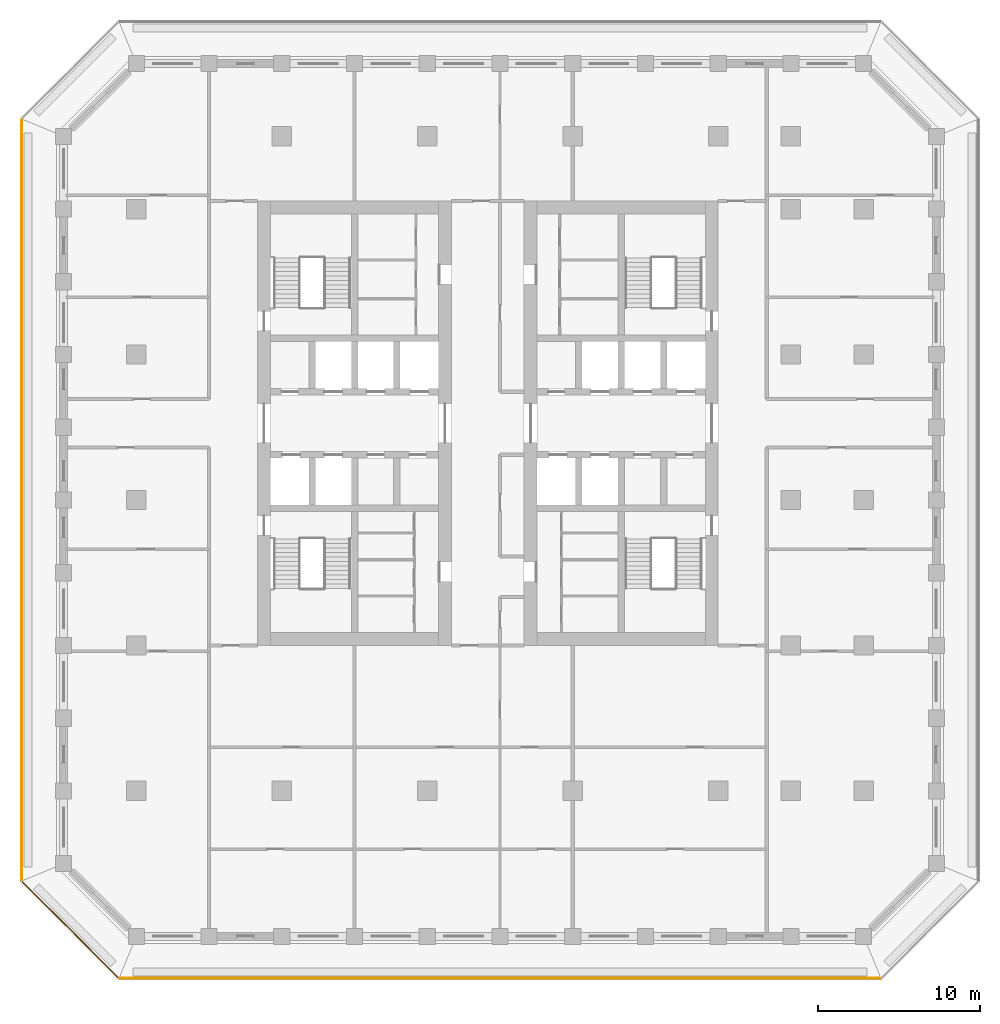
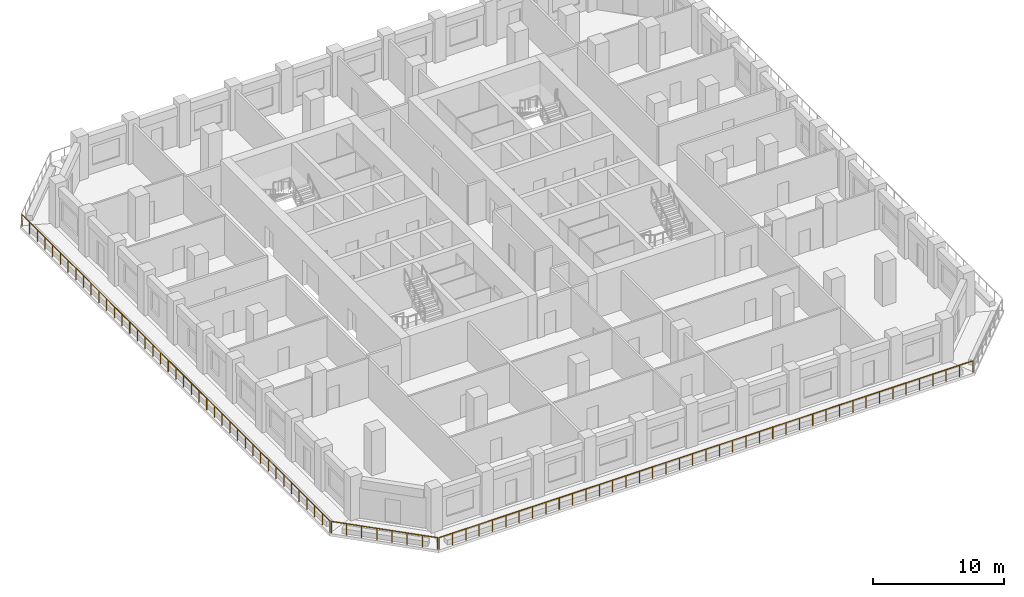
# One storey, part 9 of 16: 3 railings.
"""IFC4 building model written with IfcOpenShell, lengths in metres."""

from ifc_helpers import new_model, si_unit, direction, frame, origin, origin_2d, place, context, subcontext, project, spatial, circle, extrude, material, type_object, element, save


model = new_model("IFC4")

# Units and contexts
model_context = context("Model", 3, precision=1e-05, world=origin(), true_north=direction((0.0, 1.0)))
body_context = subcontext(model_context, "Body", "Model", "MODEL_VIEW")
ifc_project = project(units=[si_unit("LENGTHUNIT", "METRE"), si_unit("AREAUNIT", "SQUARE_METRE"), si_unit("VOLUMEUNIT", "CUBIC_METRE"), si_unit("PLANEANGLEUNIT", "RADIAN"), si_unit("MASSUNIT", "GRAM", prefix="KILO")], contexts=[model_context])

# Site, building, storey
site_placement = place(None, origin())
site = spatial("IfcSite", under=ifc_project, at=site_placement, CompositionType="ELEMENT")
building_placement = place(site_placement, origin())
building = spatial("IfcBuilding", under=site, at=building_placement, Name="Corbel Stack Research Tower", CompositionType="ELEMENT")
storey_placement = place(building_placement, frame((0.0, 0.0, 212.0)))
storey = spatial("IfcBuildingStorey", under=building, at=storey_placement, Name="L48", CompositionType="ELEMENT", Elevation=212.0)

# Railings
ifc_material = material(Name="Powder-coated steel guard", Category="steel")
railing_type = type_object("IfcRailingType", Name="Steel and glass guard 1100", PredefinedType="GUARDRAIL", material=ifc_material)
railing_1_placement = place(storey_placement, frame((-19.00537109375, -29.60009765625, 0.0)))
element("IfcRailing", 1, at=railing_1_placement, inside=storey, type_object=railing_type, Name="Loggia guard L48 S", PredefinedType="GUARDRAIL", context=body_context, shape_type="SweptSolid", body=[
    extrude(circle(Radius=0.02392578125, at=origin_2d()), frame((0.0, 0.0, 1.076171875), z_axis=(1.0, 0.0, 0.0), x_axis=(0.0, 1.0, 0.0)), (0.0, 0.0, 1.0), 47.0107421875),
    extrude(circle(Radius=0.02099609375, at=origin_2d()), origin(), (0.0, 0.0, 1.0), 1.052001953125),
    extrude(circle(Radius=0.02099609375, at=origin_2d()), frame((1.17529296875, 0.0, 0.0)), (0.0, 0.0, 1.0), 1.052001953125),
    extrude(circle(Radius=0.02099609375, at=origin_2d()), frame((2.3505859375, 0.0, 0.0)), (0.0, 0.0, 1.0), 1.052001953125),
    extrude(circle(Radius=0.02099609375, at=origin_2d()), frame((3.52587890625, 0.0, 0.0)), (0.0, 0.0, 1.0), 1.052001953125),
    extrude(circle(Radius=0.02099609375, at=origin_2d()), frame((4.701171875, 0.0, 0.0)), (0.0, 0.0, 1.0), 1.052001953125),
    extrude(circle(Radius=0.02099609375, at=origin_2d()), frame((5.87646484375, 0.0, 0.0)), (0.0, 0.0, 1.0), 1.052001953125),
    extrude(circle(Radius=0.02099609375, at=origin_2d()), frame((7.051513671875, 0.0, 0.0)), (0.0, 0.0, 1.0), 1.052001953125),
    extrude(circle(Radius=0.02099609375, at=origin_2d()), frame((8.226806640625, 0.0, 0.0)), (0.0, 0.0, 1.0), 1.052001953125),
    extrude(circle(Radius=0.02099609375, at=origin_2d()), frame((9.402099609375, 0.0, 0.0)), (0.0, 0.0, 1.0), 1.052001953125),
    extrude(circle(Radius=0.02099609375, at=origin_2d()), frame((10.577392578125, 0.0, 0.0)), (0.0, 0.0, 1.0), 1.052001953125),
    extrude(circle(Radius=0.02099609375, at=origin_2d()), frame((11.752685546875, 0.0, 0.0)), (0.0, 0.0, 1.0), 1.052001953125),
    extrude(circle(Radius=0.02099609375, at=origin_2d()), frame((12.927978515625, 0.0, 0.0)), (0.0, 0.0, 1.0), 1.052001953125),
    extrude(circle(Radius=0.02099609375, at=origin_2d()), frame((14.103271484375, 0.0, 0.0)), (0.0, 0.0, 1.0), 1.052001953125),
    extrude(circle(Radius=0.02099609375, at=origin_2d()), frame((15.278564453125, 0.0, 0.0)), (0.0, 0.0, 1.0), 1.052001953125),
    extrude(circle(Radius=0.02099609375, at=origin_2d()), frame((16.453857421875, 0.0, 0.0)), (0.0, 0.0, 1.0), 1.052001953125),
    extrude(circle(Radius=0.02099609375, at=origin_2d()), frame((17.62890625, 0.0, 0.0)), (0.0, 0.0, 1.0), 1.052001953125),
    extrude(circle(Radius=0.02099609375, at=origin_2d()), frame((18.80419921875, 0.0, 0.0)), (0.0, 0.0, 1.0), 1.052001953125),
    extrude(circle(Radius=0.02099609375, at=origin_2d()), frame((19.9794921875, 0.0, 0.0)), (0.0, 0.0, 1.0), 1.052001953125),
    extrude(circle(Radius=0.02099609375, at=origin_2d()), frame((21.15478515625, 0.0, 0.0)), (0.0, 0.0, 1.0), 1.052001953125),
    extrude(circle(Radius=0.02099609375, at=origin_2d()), frame((22.330078125, 0.0, 0.0)), (0.0, 0.0, 1.0), 1.052001953125),
    extrude(circle(Radius=0.02099609375, at=origin_2d()), frame((23.50537109375, 0.0, 0.0)), (0.0, 0.0, 1.0), 1.052001953125),
    extrude(circle(Radius=0.02099609375, at=origin_2d()), frame((24.6806640625, 0.0, 0.0)), (0.0, 0.0, 1.0), 1.052001953125),
    extrude(circle(Radius=0.02099609375, at=origin_2d()), frame((25.85595703125, 0.0, 0.0)), (0.0, 0.0, 1.0), 1.052001953125),
    extrude(circle(Radius=0.02099609375, at=origin_2d()), frame((27.03125, 0.0, 0.0)), (0.0, 0.0, 1.0), 1.052001953125),
    extrude(circle(Radius=0.02099609375, at=origin_2d()), frame((28.20654296875, 0.0, 0.0)), (0.0, 0.0, 1.0), 1.052001953125),
    extrude(circle(Radius=0.02099609375, at=origin_2d()), frame((29.3818359375, 0.0, 0.0)), (0.0, 0.0, 1.0), 1.052001953125),
    extrude(circle(Radius=0.02099609375, at=origin_2d()), frame((30.556884765625, 0.0, 0.0)), (0.0, 0.0, 1.0), 1.052001953125),
    extrude(circle(Radius=0.02099609375, at=origin_2d()), frame((31.732177734375, 0.0, 0.0)), (0.0, 0.0, 1.0), 1.052001953125),
    extrude(circle(Radius=0.02099609375, at=origin_2d()), frame((32.907470703125, 0.0, 0.0)), (0.0, 0.0, 1.0), 1.052001953125),
    extrude(circle(Radius=0.02099609375, at=origin_2d()), frame((34.082763671875, 0.0, 0.0)), (0.0, 0.0, 1.0), 1.052001953125),
    extrude(circle(Radius=0.02099609375, at=origin_2d()), frame((35.258056640625, 0.0, 0.0)), (0.0, 0.0, 1.0), 1.052001953125),
    extrude(circle(Radius=0.02099609375, at=origin_2d()), frame((36.433349609375, 0.0, 0.0)), (0.0, 0.0, 1.0), 1.052001953125),
    extrude(circle(Radius=0.02099609375, at=origin_2d()), frame((37.608642578125, 0.0, 0.0)), (0.0, 0.0, 1.0), 1.052001953125),
    extrude(circle(Radius=0.02099609375, at=origin_2d()), frame((38.783935546875, 0.0, 0.0)), (0.0, 0.0, 1.0), 1.052001953125),
    extrude(circle(Radius=0.02099609375, at=origin_2d()), frame((39.959228515625, 0.0, 0.0)), (0.0, 0.0, 1.0), 1.052001953125),
    extrude(circle(Radius=0.02099609375, at=origin_2d()), frame((41.13427734375, 0.0, 0.0)), (0.0, 0.0, 1.0), 1.052001953125),
    extrude(circle(Radius=0.02099609375, at=origin_2d()), frame((42.3095703125, 0.0, 0.0)), (0.0, 0.0, 1.0), 1.052001953125),
    extrude(circle(Radius=0.02099609375, at=origin_2d()), frame((43.48486328125, 0.0, 0.0)), (0.0, 0.0, 1.0), 1.052001953125),
    extrude(circle(Radius=0.02099609375, at=origin_2d()), frame((44.66015625, 0.0, 0.0)), (0.0, 0.0, 1.0), 1.052001953125),
    extrude(circle(Radius=0.02099609375, at=origin_2d()), frame((45.83544921875, 0.0, 0.0)), (0.0, 0.0, 1.0), 1.052001953125),
    extrude(circle(Radius=0.02099609375, at=origin_2d()), frame((47.0107421875, 0.0, 0.0)), (0.0, 0.0, 1.0), 1.052001953125),
])
railing_2_placement = place(storey_placement, frame((-25.10009765625, 23.50537109375, 0.0)))
element("IfcRailing", 2, at=railing_2_placement, inside=storey, type_object=railing_type, Name="Loggia guard L48 W", PredefinedType="GUARDRAIL", context=body_context, shape_type="SweptSolid", body=[
    extrude(circle(Radius=0.02392578125, at=origin_2d()), frame((0.0, 0.0, 1.076171875), z_axis=(0.0, -1.0, 0.0), x_axis=(1.0, 0.0, 0.0)), (0.0, 0.0, 1.0), 47.0107421875),
    extrude(circle(Radius=0.02099609375, at=origin_2d()), origin(), (0.0, 0.0, 1.0), 1.052001953125),
    extrude(circle(Radius=0.02099609375, at=origin_2d()), frame((0.0, -1.17529296875, 0.0)), (0.0, 0.0, 1.0), 1.052001953125),
    extrude(circle(Radius=0.02099609375, at=origin_2d()), frame((0.0, -2.3505859375, 0.0)), (0.0, 0.0, 1.0), 1.052001953125),
    extrude(circle(Radius=0.02099609375, at=origin_2d()), frame((0.0, -3.52587890625, 0.0)), (0.0, 0.0, 1.0), 1.052001953125),
    extrude(circle(Radius=0.02099609375, at=origin_2d()), frame((0.0, -4.701171875, 0.0)), (0.0, 0.0, 1.0), 1.052001953125),
    extrude(circle(Radius=0.02099609375, at=origin_2d()), frame((0.0, -5.87646484375, 0.0)), (0.0, 0.0, 1.0), 1.052001953125),
    extrude(circle(Radius=0.02099609375, at=origin_2d()), frame((0.0, -7.051513671875, 0.0)), (0.0, 0.0, 1.0), 1.052001953125),
    extrude(circle(Radius=0.02099609375, at=origin_2d()), frame((0.0, -8.226806640625, 0.0)), (0.0, 0.0, 1.0), 1.052001953125),
    extrude(circle(Radius=0.02099609375, at=origin_2d()), frame((0.0, -9.402099609375, 0.0)), (0.0, 0.0, 1.0), 1.052001953125),
    extrude(circle(Radius=0.02099609375, at=origin_2d()), frame((0.0, -10.577392578125, 0.0)), (0.0, 0.0, 1.0), 1.052001953125),
    extrude(circle(Radius=0.02099609375, at=origin_2d()), frame((0.0, -11.752685546875, 0.0)), (0.0, 0.0, 1.0), 1.052001953125),
    extrude(circle(Radius=0.02099609375, at=origin_2d()), frame((0.0, -12.927978515625, 0.0)), (0.0, 0.0, 1.0), 1.052001953125),
    extrude(circle(Radius=0.02099609375, at=origin_2d()), frame((0.0, -14.103271484375, 0.0)), (0.0, 0.0, 1.0), 1.052001953125),
    extrude(circle(Radius=0.02099609375, at=origin_2d()), frame((0.0, -15.278564453125, 0.0)), (0.0, 0.0, 1.0), 1.052001953125),
    extrude(circle(Radius=0.02099609375, at=origin_2d()), frame((0.0, -16.453857421875, 0.0)), (0.0, 0.0, 1.0), 1.052001953125),
    extrude(circle(Radius=0.02099609375, at=origin_2d()), frame((0.0, -17.62890625, 0.0)), (0.0, 0.0, 1.0), 1.052001953125),
    extrude(circle(Radius=0.02099609375, at=origin_2d()), frame((0.0, -18.80419921875, 0.0)), (0.0, 0.0, 1.0), 1.052001953125),
    extrude(circle(Radius=0.02099609375, at=origin_2d()), frame((0.0, -19.9794921875, 0.0)), (0.0, 0.0, 1.0), 1.052001953125),
    extrude(circle(Radius=0.02099609375, at=origin_2d()), frame((0.0, -21.15478515625, 0.0)), (0.0, 0.0, 1.0), 1.052001953125),
    extrude(circle(Radius=0.02099609375, at=origin_2d()), frame((0.0, -22.330078125, 0.0)), (0.0, 0.0, 1.0), 1.052001953125),
    extrude(circle(Radius=0.02099609375, at=origin_2d()), frame((0.0, -23.50537109375, 0.0)), (0.0, 0.0, 1.0), 1.052001953125),
    extrude(circle(Radius=0.02099609375, at=origin_2d()), frame((0.0, -24.6806640625, 0.0)), (0.0, 0.0, 1.0), 1.052001953125),
    extrude(circle(Radius=0.02099609375, at=origin_2d()), frame((0.0, -25.85595703125, 0.0)), (0.0, 0.0, 1.0), 1.052001953125),
    extrude(circle(Radius=0.02099609375, at=origin_2d()), frame((0.0, -27.03125, 0.0)), (0.0, 0.0, 1.0), 1.052001953125),
    extrude(circle(Radius=0.02099609375, at=origin_2d()), frame((0.0, -28.20654296875, 0.0)), (0.0, 0.0, 1.0), 1.052001953125),
    extrude(circle(Radius=0.02099609375, at=origin_2d()), frame((0.0, -29.3818359375, 0.0)), (0.0, 0.0, 1.0), 1.052001953125),
    extrude(circle(Radius=0.02099609375, at=origin_2d()), frame((0.0, -30.556884765625, 0.0)), (0.0, 0.0, 1.0), 1.052001953125),
    extrude(circle(Radius=0.02099609375, at=origin_2d()), frame((0.0, -31.732177734375, 0.0)), (0.0, 0.0, 1.0), 1.052001953125),
    extrude(circle(Radius=0.02099609375, at=origin_2d()), frame((0.0, -32.907470703125, 0.0)), (0.0, 0.0, 1.0), 1.052001953125),
    extrude(circle(Radius=0.02099609375, at=origin_2d()), frame((0.0, -34.082763671875, 0.0)), (0.0, 0.0, 1.0), 1.052001953125),
    extrude(circle(Radius=0.02099609375, at=origin_2d()), frame((0.0, -35.258056640625, 0.0)), (0.0, 0.0, 1.0), 1.052001953125),
    extrude(circle(Radius=0.02099609375, at=origin_2d()), frame((0.0, -36.433349609375, 0.0)), (0.0, 0.0, 1.0), 1.052001953125),
    extrude(circle(Radius=0.02099609375, at=origin_2d()), frame((0.0, -37.608642578125, 0.0)), (0.0, 0.0, 1.0), 1.052001953125),
    extrude(circle(Radius=0.02099609375, at=origin_2d()), frame((0.0, -38.783935546875, 0.0)), (0.0, 0.0, 1.0), 1.052001953125),
    extrude(circle(Radius=0.02099609375, at=origin_2d()), frame((0.0, -39.959228515625, 0.0)), (0.0, 0.0, 1.0), 1.052001953125),
    extrude(circle(Radius=0.02099609375, at=origin_2d()), frame((0.0, -41.13427734375, 0.0)), (0.0, 0.0, 1.0), 1.052001953125),
    extrude(circle(Radius=0.02099609375, at=origin_2d()), frame((0.0, -42.3095703125, 0.0)), (0.0, 0.0, 1.0), 1.052001953125),
    extrude(circle(Radius=0.02099609375, at=origin_2d()), frame((0.0, -43.48486328125, 0.0)), (0.0, 0.0, 1.0), 1.052001953125),
    extrude(circle(Radius=0.02099609375, at=origin_2d()), frame((0.0, -44.66015625, 0.0)), (0.0, 0.0, 1.0), 1.052001953125),
    extrude(circle(Radius=0.02099609375, at=origin_2d()), frame((0.0, -45.83544921875, 0.0)), (0.0, 0.0, 1.0), 1.052001953125),
    extrude(circle(Radius=0.02099609375, at=origin_2d()), frame((0.0, -47.0107421875, 0.0)), (0.0, 0.0, 1.0), 1.052001953125),
])
railing_3_placement = place(storey_placement, frame((-25.04931640625, -23.627685546875, 0.0)))
element("IfcRailing", 3, at=railing_3_placement, inside=storey, type_object=railing_type, Name="Loggia guard L48 SW", PredefinedType="GUARDRAIL", context=body_context, shape_type="SweptSolid", body=[
    extrude(circle(Radius=0.02392578125, at=origin_2d()), frame((0.0, 0.0, 1.076171875), z_axis=(0.707106781187, -0.707106781187, 0.0), x_axis=(0.707106781187, 0.707106781187, 0.0)), (0.0, 0.0, 1.0), 8.37451171875),
    extrude(circle(Radius=0.02099609375, at=origin_2d()), origin(), (0.0, 0.0, 1.0), 1.052001953125),
    extrude(circle(Radius=0.02099609375, at=origin_2d()), frame((0.845947265625, -0.845947265625, 0.0)), (0.0, 0.0, 1.0), 1.052001953125),
    extrude(circle(Radius=0.02099609375, at=origin_2d()), frame((1.69189453125, -1.69189453125, 0.0)), (0.0, 0.0, 1.0), 1.052001953125),
    extrude(circle(Radius=0.02099609375, at=origin_2d()), frame((2.537841796875, -2.537841796875, 0.0)), (0.0, 0.0, 1.0), 1.052001953125),
    extrude(circle(Radius=0.02099609375, at=origin_2d()), frame((3.3837890625, -3.3837890625, 0.0)), (0.0, 0.0, 1.0), 1.052001953125),
    extrude(circle(Radius=0.02099609375, at=origin_2d()), frame((4.229736328125, -4.229736328125, 0.0)), (0.0, 0.0, 1.0), 1.052001953125),
    extrude(circle(Radius=0.02099609375, at=origin_2d()), frame((5.07568359375, -5.07568359375, 0.0)), (0.0, 0.0, 1.0), 1.052001953125),
    extrude(circle(Radius=0.02099609375, at=origin_2d()), frame((5.921630859375, -5.921630859375, 0.0)), (0.0, 0.0, 1.0), 1.052001953125),
])

save(model, "model.ifc")
